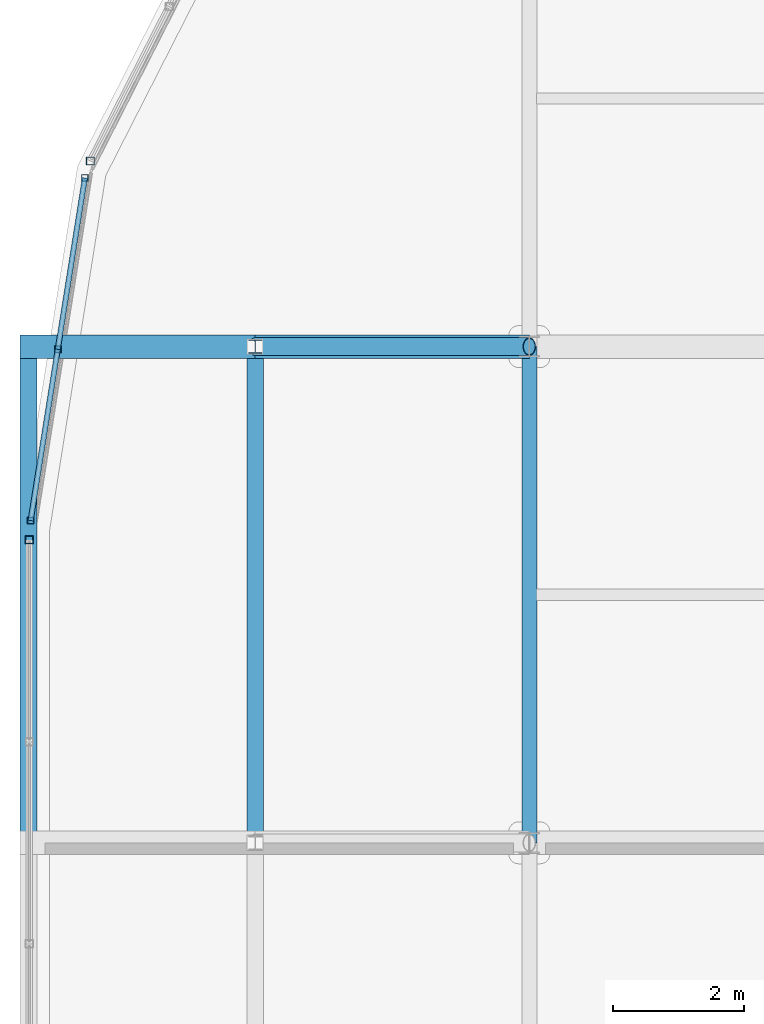
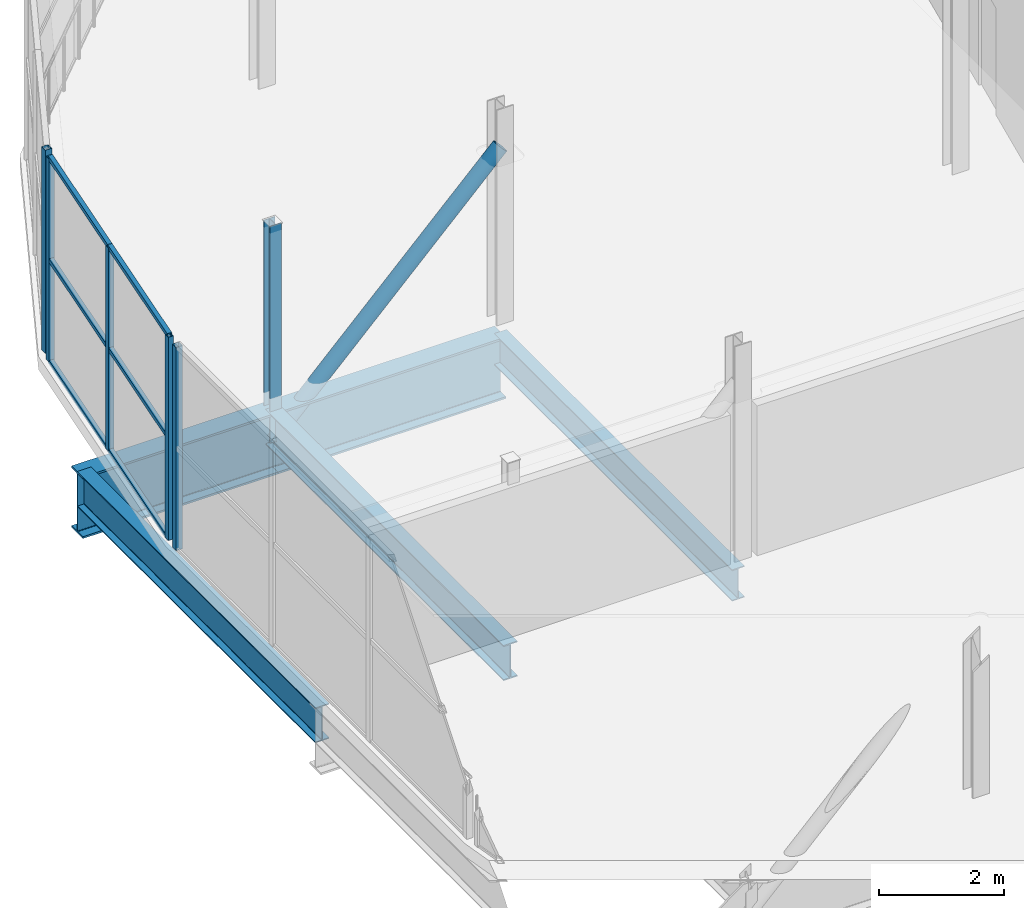
# One storey, part 51 of 151: 13 members, 5 beams, 3 elements without a shape of their own.
"""IFC4 building model written with IfcOpenShell, lengths in metres."""

from ifc_helpers import new_model, si_unit, direction, frame, origin, origin_2d, place, context, subcontext, project, spatial, hollow_rectangle, hollow_circle, i_section, extrude, material, material_profile, profile_set, type_object, element, aggregate, save


model = new_model("IFC4")

# Units and contexts
model_context = context("Model", 3, precision=1e-05, world=origin(), true_north=direction((0.0, 1.0)))
body_context = subcontext(model_context, "Body", "Model", "MODEL_VIEW")
ifc_project = project(units=[si_unit("LENGTHUNIT", "METRE"), si_unit("AREAUNIT", "SQUARE_METRE"), si_unit("VOLUMEUNIT", "CUBIC_METRE"), si_unit("PLANEANGLEUNIT", "RADIAN"), si_unit("MASSUNIT", "GRAM", prefix="KILO")], contexts=[model_context])

# Site, building, storey
site_placement = place(None, origin())
site = spatial("IfcSite", under=ifc_project, at=site_placement, CompositionType="ELEMENT")
building_placement = place(site_placement, origin())
building = spatial("IfcBuilding", under=site, at=building_placement, Name="Zuvorla Pavilion Media Centre", CompositionType="ELEMENT")
storey_placement = place(building_placement, frame((0.0, 0.0, 13.800048828125)))
storey = spatial("IfcBuildingStorey", under=building, at=storey_placement, Name="L03", CompositionType="ELEMENT", Elevation=13.800048828125)

# Beams
ifc_material_1 = material(Name="Steel S355", Category="steel")
ifc_material_profile_1 = material_profile(ifc_material_1, i_section(OverallWidth=0.360107421875, OverallDepth=1.199951171875, WebThickness=0.02001953125, FlangeThickness=0.0380859375, FilletRadius=0.02392578125, at=origin_2d()), Name="PG 1200x360x38")
ifc_profile_set_1 = profile_set([ifc_material_profile_1], Name="Steel S355")
beam_type_1 = type_object("IfcBeamType", Name="BM-PG1200", PredefinedType="BEAM", material=ifc_profile_set_1)
beam_1_placement = place(storey_placement, frame((16.39990234375, 74.39990234375, -0.858154296875), z_axis=(-1.0, 0.0, 0.0), x_axis=(0.0, -1.0, 0.0)))
element("IfcBeam", 1, at=beam_1_placement, inside=storey, type_object=beam_type_1, Name="L03 beam B01 1708", PredefinedType="BEAM", context=body_context, shape_type="SweptSolid", body=[
    extrude(i_section(OverallWidth=0.360107421875, OverallDepth=1.199951171875, WebThickness=0.02001953125, FlangeThickness=0.0380859375, FilletRadius=0.02392578125, at=origin_2d()), origin(), (0.0, 0.0, 1.0), 4.199951171875),
])
beam_2_placement = place(storey_placement, frame((12.199951171875, 74.39990234375, -0.858154296875), z_axis=(-1.0, 0.0, 0.0), x_axis=(0.0, -1.0, 0.0)))
element("IfcBeam", 2, at=beam_2_placement, inside=storey, type_object=beam_type_1, Name="L03 beam B01 1709", PredefinedType="BEAM", context=body_context, shape_type="SweptSolid", body=[
    extrude(i_section(OverallWidth=0.360107421875, OverallDepth=1.199951171875, WebThickness=0.02001953125, FlangeThickness=0.0380859375, FilletRadius=0.02392578125, at=origin_2d()), origin(), (0.0, 0.0, 1.0), 3.599853515625),
])
ifc_material_profile_2 = material_profile(ifc_material_1, i_section(OverallWidth=0.22900390625, OverallDepth=0.6123046875, WebThickness=0.011962890625, FlangeThickness=0.01953125, FilletRadius=0.0126953125, at=origin_2d()), Name="UB 610x229x125")
ifc_profile_set_2 = profile_set([ifc_material_profile_2], Name="Steel S355")
beam_type_2 = type_object("IfcBeamType", Name="BM-UB610", PredefinedType="BEAM", material=ifc_profile_set_2)
beam_3_placement = place(storey_placement, frame((16.39990234375, 66.800048828125, -0.564208984375), z_axis=(0.0, 1.0, 0.0), x_axis=(-1.0, 0.0, 0.0)))
element("IfcBeam", 3, at=beam_3_placement, inside=storey, type_object=beam_type_2, Name="L03 beam B07 1149", PredefinedType="BEAM", context=body_context, shape_type="SweptSolid", body=[
    extrude(i_section(OverallWidth=0.22900390625, OverallDepth=0.6123046875, WebThickness=0.011962890625, FlangeThickness=0.01953125, FilletRadius=0.0126953125, at=origin_2d()), origin(), (0.0, 0.0, 1.0), 7.599853515625),
])
ifc_material_profile_3 = material_profile(ifc_material_1, i_section(OverallWidth=0.25439453125, OverallDepth=0.6875, WebThickness=0.01318359375, FlangeThickness=0.02099609375, FilletRadius=0.01513671875, at=origin_2d()), Name="UB 686x254x152")
ifc_profile_set_3 = profile_set([ifc_material_profile_3], Name="Steel S355")
beam_type_3 = type_object("IfcBeamType", Name="BM-UB686", PredefinedType="BEAM", material=ifc_profile_set_3)
for number, where, z_axis, x_axis, name in (
    (4, (12.199951171875, 66.800048828125, -0.601806640625), (0.0, 1.0, 0.0), (-1.0, 0.0, 0.0), "L03 beam B06 1714"),
    (5, (8.72998046875, 66.800048828125, -0.601806640625), (0.0, 1.0, 0.0), (-1.0, 0.0, 0.0), "L03 beam B06 1716"),
):
    element("IfcBeam", number, at=place(storey_placement, frame(where, z_axis=z_axis, x_axis=x_axis)), inside=storey, type_object=beam_type_3, Name=name, PredefinedType="BEAM", context=body_context, shape_type="SweptSolid", body=[
        extrude(i_section(OverallWidth=0.25439453125, OverallDepth=0.6875, WebThickness=0.01318359375, FlangeThickness=0.02099609375, FilletRadius=0.01513671875, at=origin_2d()), origin(), (0.0, 0.0, 1.0), 7.599853515625),
    ])

# Curtain wall, members
ifc_material_2 = material(Name="Unitised anodised aluminium and solar glass curtain wall", Category="aluminium")
curtain_wall_type_1 = type_object("IfcCurtainWallType", Name="CW-SYS-03", PredefinedType="USERDEFINED", material=ifc_material_2)
curtain_wall_1_placement = place(storey_placement, origin())
curtain_wall_1 = element("IfcCurtainWall", 6, at=curtain_wall_1_placement, inside=storey, type_object=curtain_wall_type_1, Name="L03 curtain wall CW03 125", ObjectType="CURTAIN WALL", PredefinedType="USERDEFINED")
ifc_material_3 = material(Name="Anodised aluminium 6063-T6", Category="aluminium")
ifc_material_profile_4 = material_profile(ifc_material_3, hollow_rectangle(XDim=0.10009765625, YDim=0.10009765625, WallThickness=0.00439453125, at=origin_2d()), Name="ALU MULL 100x100")
ifc_profile_set_4 = profile_set([ifc_material_profile_4], Name="Anodised aluminium 6063-T6")
member_type_1 = type_object("IfcMemberType", Name="CW-MULL-100", PredefinedType="MULLION", material=ifc_profile_set_4)
member_1_placement = place(storey_placement, frame((9.59423828125, 76.982421875, 0.0), z_axis=(0.0, 0.0, 1.0), x_axis=(1.0, 0.0, 0.0)))
member_1 = element("IfcMember", 7, at=member_1_placement, type_object=member_type_1, Name="CW03 mullion 1", PredefinedType="MULLION", context=body_context, shape_type="SweptSolid", body=[
    extrude(hollow_rectangle(XDim=0.10009765625, YDim=0.10009765625, WallThickness=0.00439453125, at=origin_2d()), origin(), (0.0, 0.0, 1.0), 3.9599609375),
])
member_2_placement = place(storey_placement, frame((9.1787109375, 74.359130859375, 0.0), z_axis=(0.0, 0.0, 1.0), x_axis=(1.0, 0.0, 0.0)))
member_2 = element("IfcMember", 8, at=member_2_placement, type_object=member_type_1, Name="CW03 mullion 2", PredefinedType="MULLION", context=body_context, shape_type="SweptSolid", body=[
    extrude(hollow_rectangle(XDim=0.10009765625, YDim=0.10009765625, WallThickness=0.00439453125, at=origin_2d()), origin(), (0.0, 0.0, 1.0), 3.9599609375),
])
member_3_placement = place(storey_placement, frame((8.76318359375, 71.736083984375, 0.0), z_axis=(0.0, 0.0, 1.0), x_axis=(1.0, 0.0, 0.0)))
member_3 = element("IfcMember", 9, at=member_3_placement, type_object=member_type_1, Name="CW03 mullion 3", PredefinedType="MULLION", context=body_context, shape_type="SweptSolid", body=[
    extrude(hollow_rectangle(XDim=0.10009765625, YDim=0.10009765625, WallThickness=0.00439453125, at=origin_2d()), origin(), (0.0, 0.0, 1.0), 3.9599609375),
])

# Curtain wall, member
curtain_wall_type_2 = type_object("IfcCurtainWallType", Name="CW-SYS-02", PredefinedType="USERDEFINED", material=ifc_material_2)
curtain_wall_2_placement = place(storey_placement, origin())
curtain_wall_2 = element("IfcCurtainWall", 10, at=curtain_wall_2_placement, inside=storey, type_object=curtain_wall_type_2, Name="L03 curtain wall CW02 124", ObjectType="CURTAIN WALL", PredefinedType="USERDEFINED")
ifc_material_profile_5 = material_profile(ifc_material_3, hollow_rectangle(XDim=0.1201171875, YDim=0.1201171875, WallThickness=0.0048828125, at=origin_2d()), Name="ALU MULL 120x120")
ifc_profile_set_5 = profile_set([ifc_material_profile_5], Name="Anodised aluminium 6063-T6")
member_type_2 = type_object("IfcMemberType", Name="CW-MULL-120", PredefinedType="MULLION", material=ifc_profile_set_5)
member_4_placement = place(storey_placement, frame((9.678466796875, 77.2412109375, 0.0), z_axis=(0.0, 0.0, 1.0), x_axis=(1.0, 0.0, 0.0)))
member_4 = element("IfcMember", 11, at=member_4_placement, type_object=member_type_2, Name="CW02 mullion 3", PredefinedType="MULLION", context=body_context, shape_type="SweptSolid", body=[
    extrude(hollow_rectangle(XDim=0.1201171875, YDim=0.1201171875, WallThickness=0.0048828125, at=origin_2d()), origin(), (0.0, 0.0, 1.0), 3.9599609375),
])
aggregate(curtain_wall_2, [member_4])

curtain_wall_type_3 = type_object("IfcCurtainWallType", Name="CW-SYS-59", PredefinedType="USERDEFINED", material=ifc_material_2)
curtain_wall_3_placement = place(storey_placement, origin())
curtain_wall_3 = element("IfcCurtainWall", 12, at=curtain_wall_3_placement, inside=storey, type_object=curtain_wall_type_3, Name="L03 curtain wall CW59 126", ObjectType="CURTAIN WALL", PredefinedType="USERDEFINED")
member_5_placement = place(storey_placement, frame((8.739990234375, 71.43994140625, 0.0), z_axis=(0.0, 0.0, 1.0), x_axis=(1.0, 0.0, 0.0)))
member_5 = element("IfcMember", 13, at=member_5_placement, type_object=member_type_2, Name="CW59 mullion 1", PredefinedType="MULLION", context=body_context, shape_type="SweptSolid", body=[
    extrude(hollow_rectangle(XDim=0.1201171875, YDim=0.1201171875, WallThickness=0.0048828125, at=origin_2d()), origin(), (0.0, 0.0, 1.0), 3.9599609375),
])
aggregate(curtain_wall_3, [member_5])

# Member
ifc_material_profile_6 = material_profile(ifc_material_3, hollow_rectangle(XDim=0.080078125, YDim=0.080078125, WallThickness=0.00390625, at=origin_2d()), Name="ALU TRAN 80x80")
ifc_profile_set_6 = profile_set([ifc_material_profile_6], Name="Anodised aluminium 6063-T6")
member_type_3 = type_object("IfcMemberType", Name="CW-TRAN-80", PredefinedType="USERDEFINED", material=ifc_profile_set_6)
member_6_placement = place(storey_placement, frame((9.59423828125, 76.982421875, 0.0), z_axis=(-0.156448739647, -0.987686079614, 0.0), x_axis=(0.987686079614, -0.156448739647, 0.0)))
member_6 = element("IfcMember", 14, at=member_6_placement, type_object=member_type_3, Name="CW03 transom 1.1", ObjectType="TRANSOM", PredefinedType="USERDEFINED", context=body_context, shape_type="SweptSolid", body=[
    extrude(hollow_rectangle(XDim=0.080078125, YDim=0.080078125, WallThickness=0.00390625, at=origin_2d()), origin(), (0.0, 0.0, 1.0), 2.656005859375),
])

member_7_placement = place(storey_placement, frame((9.59423828125, 76.982421875, 1.97998046875), z_axis=(-0.156448739647, -0.987686079614, 0.0), x_axis=(0.987686079614, -0.156448739647, 0.0)))
member_7 = element("IfcMember", 15, at=member_7_placement, type_object=member_type_3, Name="CW03 transom 1.2", ObjectType="TRANSOM", PredefinedType="USERDEFINED", context=body_context, shape_type="SweptSolid", body=[
    extrude(hollow_rectangle(XDim=0.080078125, YDim=0.080078125, WallThickness=0.00390625, at=origin_2d()), origin(), (0.0, 0.0, 1.0), 2.656005859375),
])

member_8_placement = place(storey_placement, frame((9.59423828125, 76.982421875, 3.9599609375), z_axis=(-0.156448739647, -0.987686079614, 0.0), x_axis=(0.987686079614, -0.156448739647, 0.0)))
member_8 = element("IfcMember", 16, at=member_8_placement, type_object=member_type_3, Name="CW03 transom 1.3", ObjectType="TRANSOM", PredefinedType="USERDEFINED", context=body_context, shape_type="SweptSolid", body=[
    extrude(hollow_rectangle(XDim=0.080078125, YDim=0.080078125, WallThickness=0.00390625, at=origin_2d()), origin(), (0.0, 0.0, 1.0), 2.656005859375),
])

member_9_placement = place(storey_placement, frame((9.1787109375, 74.359130859375, 0.0), z_axis=(-0.156462944686, -0.987683829441, 0.0), x_axis=(0.987683829441, -0.156462944686, 0.0)))
member_9 = element("IfcMember", 17, at=member_9_placement, type_object=member_type_3, Name="CW03 transom 2.1", ObjectType="TRANSOM", PredefinedType="USERDEFINED", context=body_context, shape_type="SweptSolid", body=[
    extrude(hollow_rectangle(XDim=0.080078125, YDim=0.080078125, WallThickness=0.00390625, at=origin_2d()), origin(), (0.0, 0.0, 1.0), 2.65576171875),
])

member_10_placement = place(storey_placement, frame((9.1787109375, 74.359130859375, 1.97998046875), z_axis=(-0.156462944686, -0.987683829441, 0.0), x_axis=(0.987683829441, -0.156462944686, 0.0)))
member_10 = element("IfcMember", 18, at=member_10_placement, type_object=member_type_3, Name="CW03 transom 2.2", ObjectType="TRANSOM", PredefinedType="USERDEFINED", context=body_context, shape_type="SweptSolid", body=[
    extrude(hollow_rectangle(XDim=0.080078125, YDim=0.080078125, WallThickness=0.00390625, at=origin_2d()), origin(), (0.0, 0.0, 1.0), 2.65576171875),
])

member_11_placement = place(storey_placement, frame((9.1787109375, 74.359130859375, 3.9599609375), z_axis=(-0.156462944686, -0.987683829441, 0.0), x_axis=(0.987683829441, -0.156462944686, 0.0)))
member_11 = element("IfcMember", 19, at=member_11_placement, type_object=member_type_3, Name="CW03 transom 2.3", ObjectType="TRANSOM", PredefinedType="USERDEFINED", context=body_context, shape_type="SweptSolid", body=[
    extrude(hollow_rectangle(XDim=0.080078125, YDim=0.080078125, WallThickness=0.00390625, at=origin_2d()), origin(), (0.0, 0.0, 1.0), 2.65576171875),
])

aggregate(curtain_wall_1, [member_1, member_2, member_3, member_6, member_7, member_8, member_9, member_10, member_11])

# Members
ifc_material_profile_7 = material_profile(ifc_material_1, hollow_circle(Radius=0.136474609375, WallThickness=0.012451171875, at=origin_2d()), Name="CHS 273x12.5")
ifc_profile_set_7 = profile_set([ifc_material_profile_7], Name="Steel S355")
member_type_4 = type_object("IfcMemberType", Name="MEM-BRC-CHS273", PredefinedType="BRACE", material=ifc_profile_set_7)
member_12_placement = place(storey_placement, frame((16.39990234375, 74.39990234375, 3.35986328125), z_axis=(-0.704583438737, 0.0, -0.709621150937), x_axis=(0.0, -1.0, 0.0)))
element("IfcMember", 20, at=member_12_placement, inside=storey, type_object=member_type_4, Name="L03 diagonal brace TB01 21", PredefinedType="BRACE", context=body_context, shape_type="SweptSolid", body=[
    extrude(hollow_circle(Radius=0.136474609375, WallThickness=0.012451171875, at=origin_2d()), origin(), (0.0, 0.0, 1.0), 5.9609375),
])
ifc_material_profile_8 = material_profile(ifc_material_1, i_section(OverallWidth=0.205810546875, OverallDepth=0.209716796875, WebThickness=0.009521484375, FlangeThickness=0.01416015625, FilletRadius=0.01025390625, at=origin_2d()), Name="UC 203x203x60")
ifc_profile_set_8 = profile_set([ifc_material_profile_8], Name="Steel S355")
member_type_5 = type_object("IfcMemberType", Name="MEM-STR-UC203", PredefinedType="STRUT", material=ifc_profile_set_8)
member_13_placement = place(storey_placement, frame((12.199951171875, 74.39990234375, -0.8701171875), z_axis=(0.0, 0.0, 1.0), x_axis=(1.0, 0.0, 0.0)))
element("IfcMember", 21, at=member_13_placement, inside=storey, type_object=member_type_5, Name="L03 vertical strut TS02 22", PredefinedType="STRUT", context=body_context, shape_type="SweptSolid", body=[
    extrude(i_section(OverallWidth=0.205810546875, OverallDepth=0.209716796875, WebThickness=0.009521484375, FlangeThickness=0.01416015625, FilletRadius=0.01025390625, at=origin_2d()), origin(), (0.0, 0.0, 1.0), 4.22998046875),
])

save(model, "model.ifc")
